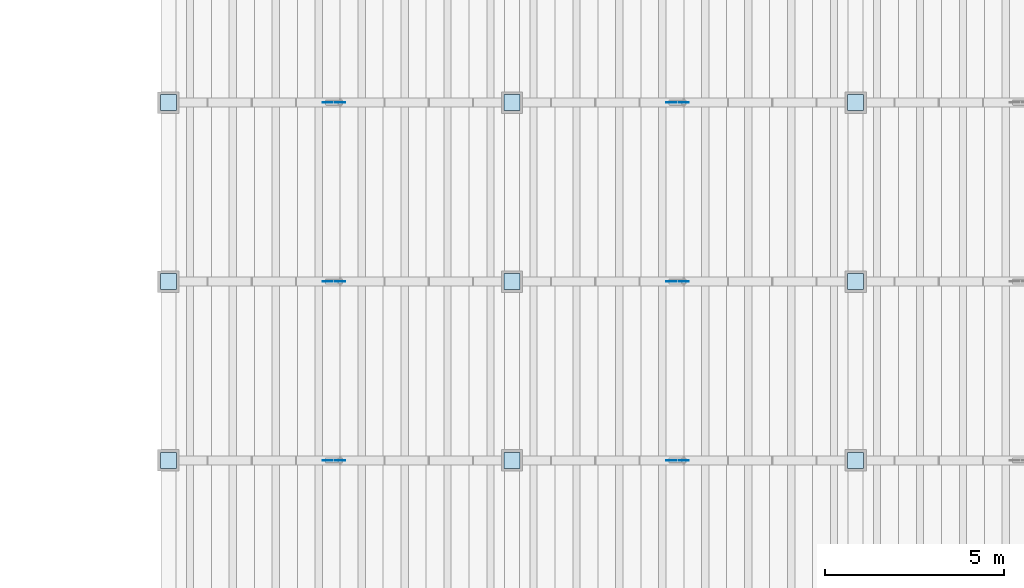
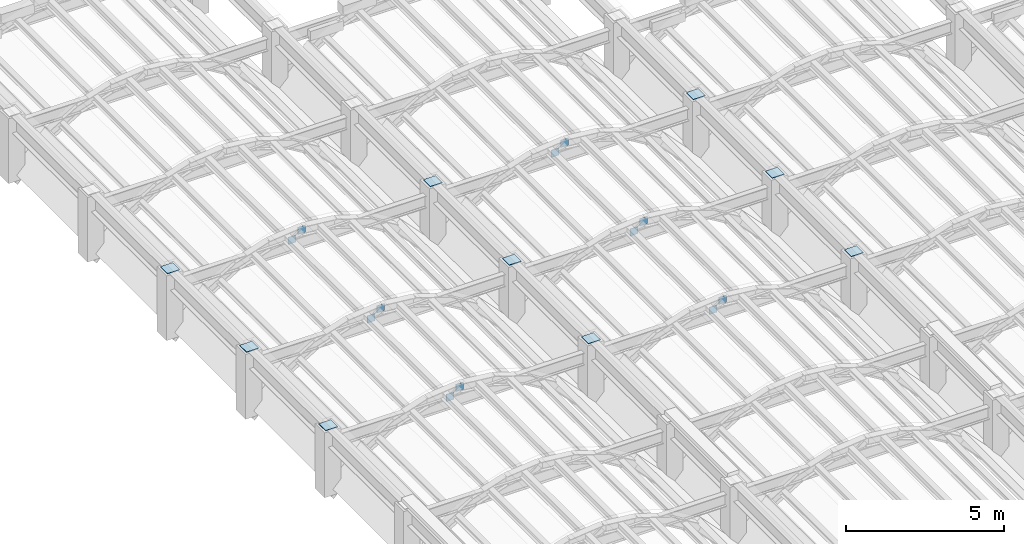
# One storey, part 57 of 70: 21 plates.
"""IFC4 building model written with IfcOpenShell, lengths in metres."""

from ifc_helpers import new_model, si_unit, direction, frame, origin, origin_2d, place, context, subcontext, project, spatial, rectangle, extrude, material, layer, layer_set, type_object, element, save


model = new_model("IFC4")

# Units and contexts
model_context = context("Model", 3, precision=1e-05, world=origin(), true_north=direction((0.0, 1.0)))
body_context = subcontext(model_context, "Body", "Model", "MODEL_VIEW")
ifc_project = project(units=[si_unit("LENGTHUNIT", "METRE"), si_unit("AREAUNIT", "SQUARE_METRE"), si_unit("VOLUMEUNIT", "CUBIC_METRE"), si_unit("PLANEANGLEUNIT", "RADIAN"), si_unit("MASSUNIT", "GRAM", prefix="KILO")], contexts=[model_context])

# Site, building, storey
site_placement = place(None, origin())
site = spatial("IfcSite", under=ifc_project, at=site_placement, CompositionType="ELEMENT")
building_placement = place(site_placement, origin())
building = spatial("IfcBuilding", under=site, at=building_placement, Name="Mavantir Sound Aquarium", CompositionType="ELEMENT")
storey_placement = place(building_placement, frame((0.0, 0.0, 27.0)))
storey = spatial("IfcBuildingStorey", under=building, at=storey_placement, Name="RF", CompositionType="ELEMENT", Elevation=27.0)

# Plates
ifc_material = material(Name="Structural Steel ASTM A572 Gr50", Category="steel")
ifc_layer_1 = layer(ifc_material, 0.02001953125, Name="Structural Steel ASTM A572 Gr50")
ifc_layer_set_1 = layer_set([ifc_layer_1], Name="Structural Steel ASTM A572 Gr50")
plate_type_1 = type_object("IfcPlateType", Name="PLT-ENDCAP-20", PredefinedType="SHEET", material=ifc_layer_set_1)
for number, where, z_axis, x_axis, name in (
    (1, (108.0, 65.800048828125, -4.699951171875), (0.0, 0.0, 1.0), (1.0, 0.0, 0.0), "Ridge column cap plate 1.66"),
    (2, (108.0, 70.800048828125, -4.699951171875), (0.0, 0.0, 1.0), (1.0, 0.0, 0.0), "Ridge column cap plate 1.71"),
    (3, (108.0, 75.800048828125, -4.699951171875), (0.0, 0.0, 1.0), (1.0, 0.0, 0.0), "Ridge column cap plate 1.76"),
    (4, (117.60009765625, 65.800048828125, -4.699951171875), (0.0, 0.0, 1.0), (1.0, 0.0, 0.0), "Ridge column cap plate 2.66"),
    (5, (117.60009765625, 70.800048828125, -4.699951171875), (0.0, 0.0, 1.0), (1.0, 0.0, 0.0), "Ridge column cap plate 2.71"),
    (6, (117.60009765625, 75.800048828125, -4.699951171875), (0.0, 0.0, 1.0), (1.0, 0.0, 0.0), "Ridge column cap plate 2.76"),
    (7, (127.199951171875, 65.800048828125, -4.699951171875), (0.0, 0.0, 1.0), (1.0, 0.0, 0.0), "Ridge column cap plate 3.66"),
    (8, (127.199951171875, 70.800048828125, -4.699951171875), (0.0, 0.0, 1.0), (1.0, 0.0, 0.0), "Ridge column cap plate 3.71"),
    (9, (127.199951171875, 75.800048828125, -4.699951171875), (0.0, 0.0, 1.0), (1.0, 0.0, 0.0), "Ridge column cap plate 3.76"),
):
    element("IfcPlate", number, at=place(storey_placement, frame(where, z_axis=z_axis, x_axis=x_axis)), inside=storey, type_object=plate_type_1, Name=name, PredefinedType="SHEET", context=body_context, shape_type="SweptSolid", body=[
        extrude(rectangle(XDim=0.43994140625, YDim=0.43994140625, at=origin_2d()), origin(), (0.0, 0.0, 1.0), 0.02001953125),
    ])
ifc_layer_2 = layer(ifc_material, 0.01611328125, Name="Structural Steel ASTM A572 Gr50")
ifc_layer_set_2 = layer_set([ifc_layer_2], Name="Structural Steel ASTM A572 Gr50")
plate_type_2 = type_object("IfcPlateType", Name="PLT-GUSSET-16", PredefinedType="SHEET", material=ifc_layer_set_2)
for number, where, z_axis, x_axis, name in (
    (10, (112.449951171875, 65.800048828125, -5.283203125), (0.0, 0.0, 1.0), (1.0, 0.0, 0.0), "Brace end gusset plate GP-01 79"),
    (11, (112.800048828125, 65.800048828125, -5.0166015625), (0.0, 0.0, 1.0), (1.0, 0.0, 0.0), "Brace end gusset plate GP-01 80"),
    (12, (112.449951171875, 70.800048828125, -5.283203125), (0.0, 0.0, 1.0), (1.0, 0.0, 0.0), "Brace end gusset plate GP-01 81"),
    (13, (112.800048828125, 70.800048828125, -5.0166015625), (0.0, 0.0, 1.0), (1.0, 0.0, 0.0), "Brace end gusset plate GP-01 82"),
    (14, (112.449951171875, 75.800048828125, -5.283203125), (0.0, 0.0, 1.0), (1.0, 0.0, 0.0), "Brace end gusset plate GP-01 83"),
    (15, (112.800048828125, 75.800048828125, -5.0166015625), (0.0, 0.0, 1.0), (1.0, 0.0, 0.0), "Brace end gusset plate GP-01 84"),
    (16, (122.050048828125, 65.800048828125, -5.283203125), (0.0, 0.0, 1.0), (1.0, 0.0, 0.0), "Brace end gusset plate GP-01 99"),
    (17, (122.39990234375, 65.800048828125, -5.0166015625), (0.0, 0.0, 1.0), (1.0, 0.0, 0.0), "Brace end gusset plate GP-01 100"),
    (18, (122.050048828125, 70.800048828125, -5.283203125), (0.0, 0.0, 1.0), (1.0, 0.0, 0.0), "Brace end gusset plate GP-01 101"),
    (19, (122.39990234375, 70.800048828125, -5.0166015625), (0.0, 0.0, 1.0), (1.0, 0.0, 0.0), "Brace end gusset plate GP-01 102"),
    (20, (122.050048828125, 75.800048828125, -5.283203125), (0.0, 0.0, 1.0), (1.0, 0.0, 0.0), "Brace end gusset plate GP-01 103"),
    (21, (122.39990234375, 75.800048828125, -5.0166015625), (0.0, 0.0, 1.0), (1.0, 0.0, 0.0), "Brace end gusset plate GP-01 104"),
):
    element("IfcPlate", number, at=place(storey_placement, frame(where, z_axis=z_axis, x_axis=x_axis)), inside=storey, type_object=plate_type_2, Name=name, PredefinedType="SHEET", context=body_context, shape_type="SweptSolid", body=[
        extrude(rectangle(XDim=0.280029296875, YDim=0.01611328125, at=origin_2d()), origin(), (0.0, 0.0, 1.0), 0.280029296875),
    ])

save(model, "model.ifc")
